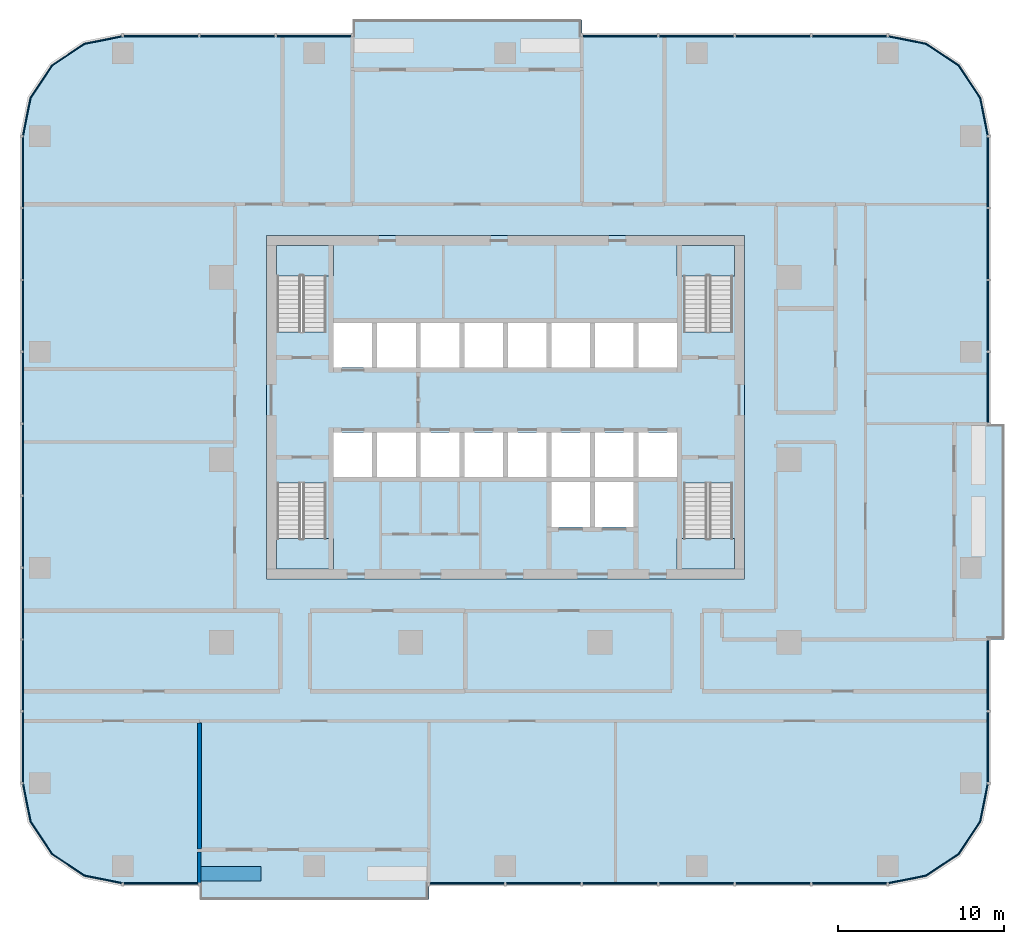
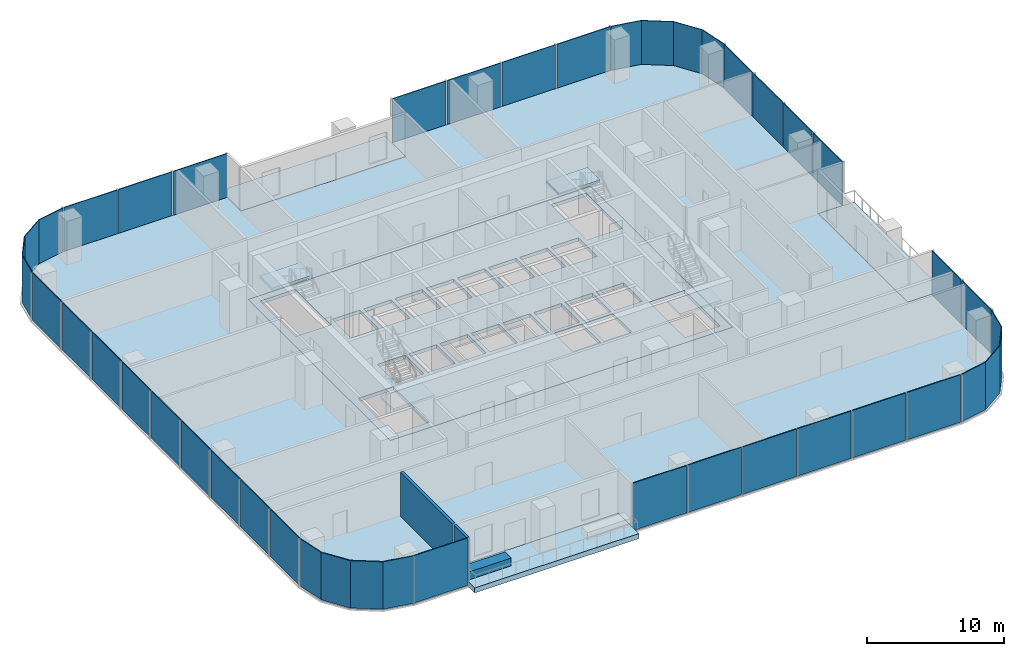
# One storey, part 6 of 14: 33 plates, 9 slabs, 3 walls, 15 elements without a shape of their own.
"""IFC4 building model written with IfcOpenShell, lengths in metres."""

from ifc_helpers import new_model, si_unit, direction, frame, frame_2d, origin, origin_2d, place, context, subcontext, project, spatial, polyline, rectangle, outline, extrude, material, layer, layer_set, type_object, element, aggregate, save


model = new_model("IFC4")

# Units and contexts
model_context = context("Model", 3, precision=1e-05, world=origin(), true_north=direction((0.0, 1.0)))
body_context = subcontext(model_context, "Body", "Model", "MODEL_VIEW")
ifc_project = project(units=[si_unit("LENGTHUNIT", "METRE"), si_unit("AREAUNIT", "SQUARE_METRE"), si_unit("VOLUMEUNIT", "CUBIC_METRE"), si_unit("PLANEANGLEUNIT", "RADIAN"), si_unit("MASSUNIT", "GRAM", prefix="KILO")], contexts=[model_context])

# Site, building, storey
site_placement = place(None, origin())
site = spatial("IfcSite", under=ifc_project, at=site_placement, CompositionType="ELEMENT")
building_placement = place(site_placement, origin())
building = spatial("IfcBuilding", under=site, at=building_placement, Name="Mopane Tessera Tower", CompositionType="ELEMENT")
storey_placement = place(building_placement, frame((0.0, 0.0, 144.10009765625)))
storey = spatial("IfcBuildingStorey", under=building, at=storey_placement, Name="L29", CompositionType="ELEMENT", Elevation=144.10009765625)

# Slab
ifc_material_1 = material(Name="Concrete C40/50", Category="concrete")
ifc_layer_1 = layer(ifc_material_1, 0.300048828125)
ifc_layer_set_1 = layer_set([ifc_layer_1], Name="Concrete C40/50")
slab_type_1 = type_object("IfcSlabType", Name="Core floor slab 300 mm", PredefinedType="FLOOR", material=ifc_layer_set_1)
slab_1_placement = place(storey_placement, frame((0.0, 0.0, -0.300048828125)))
element("IfcSlab", 1, at=slab_1_placement, inside=storey, type_object=slab_type_1, Name="L29 core floor slab", PredefinedType="FLOOR", context=body_context, shape_type="SweptSolid", body=[
    extrude(outline(polyline([(-14.39990234375, -7.199951171875), (14.39990234375, -7.199951171875), (14.39990234375, 13.5), (-14.39990234375, 13.5), (-14.39990234375, -7.199951171875)]), holes=[polyline([(-10.35009765625, -1.050048828125), (-8.02490234375, -1.050048828125), (-8.02490234375, 1.64990234375), (-10.35009765625, 1.64990234375), (-10.35009765625, -1.050048828125)]), polyline([(-7.72509765625, -1.050048828125), (-5.39990234375, -1.050048828125), (-5.39990234375, 1.64990234375), (-7.72509765625, 1.64990234375), (-7.72509765625, -1.050048828125)]), polyline([(-5.10009765625, -1.050048828125), (-2.77490234375, -1.050048828125), (-2.77490234375, 1.64990234375), (-5.10009765625, 1.64990234375), (-5.10009765625, -1.050048828125)]), polyline([(-2.47509765625, -1.050048828125), (-0.14990234375, -1.050048828125), (-0.14990234375, 1.64990234375), (-2.47509765625, 1.64990234375), (-2.47509765625, -1.050048828125)]), polyline([(0.14990234375, -1.050048828125), (2.47509765625, -1.050048828125), (2.47509765625, 1.64990234375), (0.14990234375, 1.64990234375), (0.14990234375, -1.050048828125)]), polyline([(2.77490234375, -1.050048828125), (5.10009765625, -1.050048828125), (5.10009765625, 1.64990234375), (2.77490234375, 1.64990234375), (2.77490234375, -1.050048828125)]), polyline([(5.39990234375, -1.050048828125), (7.72509765625, -1.050048828125), (7.72509765625, 1.64990234375), (5.39990234375, 1.64990234375), (5.39990234375, -1.050048828125)]), polyline([(8.02490234375, -1.050048828125), (10.35009765625, -1.050048828125), (10.35009765625, 1.64990234375), (8.02490234375, 1.64990234375), (8.02490234375, -1.050048828125)]), polyline([(-10.35009765625, 5.550048828125), (-8.02490234375, 5.550048828125), (-8.02490234375, 8.25), (-10.35009765625, 8.25), (-10.35009765625, 5.550048828125)]), polyline([(-7.72509765625, 5.550048828125), (-5.39990234375, 5.550048828125), (-5.39990234375, 8.25), (-7.72509765625, 8.25), (-7.72509765625, 5.550048828125)]), polyline([(-5.10009765625, 5.550048828125), (-2.77490234375, 5.550048828125), (-2.77490234375, 8.25), (-5.10009765625, 8.25), (-5.10009765625, 5.550048828125)]), polyline([(-2.47509765625, 5.550048828125), (-0.14990234375, 5.550048828125), (-0.14990234375, 8.25), (-2.47509765625, 8.25), (-2.47509765625, 5.550048828125)]), polyline([(0.14990234375, 5.550048828125), (2.47509765625, 5.550048828125), (2.47509765625, 8.25), (0.14990234375, 8.25), (0.14990234375, 5.550048828125)]), polyline([(2.77490234375, 5.550048828125), (5.10009765625, 5.550048828125), (5.10009765625, 8.25), (2.77490234375, 8.25), (2.77490234375, 5.550048828125)]), polyline([(5.39990234375, 5.550048828125), (7.72509765625, 5.550048828125), (7.72509765625, 8.25), (5.39990234375, 8.25), (5.39990234375, 5.550048828125)]), polyline([(8.02490234375, 5.550048828125), (10.35009765625, 5.550048828125), (10.35009765625, 8.25), (8.02490234375, 8.25), (8.02490234375, 5.550048828125)]), polyline([(2.77490234375, -4.050048828125), (5.10009765625, -4.050048828125), (5.10009765625, -1.35009765625), (2.77490234375, -1.35009765625), (2.77490234375, -4.050048828125)]), polyline([(5.39990234375, -4.050048828125), (7.72509765625, -4.050048828125), (7.72509765625, -1.35009765625), (5.39990234375, -1.35009765625), (5.39990234375, -4.050048828125)]), polyline([(-13.75, -1.405029296875), (-13.75, -6.60009765625), (-10.800048828125, -6.60009765625), (-10.800048828125, -1.405029296875), (-13.75, -1.405029296875)]), polyline([(-10.800048828125, 7.705078125), (-10.800048828125, 12.89990234375), (-13.75, 12.89990234375), (-13.75, 7.705078125), (-10.800048828125, 7.705078125)]), polyline([(10.75, -1.405029296875), (10.75, -6.60009765625), (13.699951171875, -6.60009765625), (13.699951171875, -1.405029296875), (10.75, -1.405029296875)]), polyline([(13.699951171875, 7.705078125), (13.699951171875, 12.89990234375), (10.75, 12.89990234375), (10.75, 7.705078125), (13.699951171875, 7.705078125)])]), origin(), (0.0, 0.0, 1.0), 0.300048828125),
])

# Stair, slab
ifc_material_2 = material(Name="Concrete C50/60", Category="concrete")
stair_type = type_object("IfcStairType", Name="Escape stair 1400 mm, riser 173 mm", PredefinedType="HALF_TURN_STAIR", material=ifc_material_2)
stair_1_placement = place(storey_placement, origin())
stair_1 = element("IfcStair", 2, at=stair_1_placement, inside=storey, type_object=stair_type, Name="L29 Escape stair south-west", PredefinedType="HALF_TURN_STAIR")
ifc_material_3 = material(Name="Concrete C50/60", Category="concrete")
ifc_layer_2 = layer(ifc_material_3, 0.199951171875)
ifc_layer_set_2 = layer_set([ifc_layer_2], Name="Concrete C50/60")
slab_type_2 = type_object("IfcSlabType", Name="Escape stair landing 200 mm", PredefinedType="LANDING", material=ifc_layer_set_2)
slab_2_placement = place(storey_placement, frame((0.0, 0.0, 2.0498046875)))
slab_2 = element("IfcSlab", 3, at=slab_2_placement, type_object=slab_type_2, Name="ST1 landing 1", PredefinedType="LANDING", context=body_context, shape_type="SweptSolid", body=[
    extrude(outline(polyline([(-13.800048828125, -4.760009765625), (-13.800048828125, -6.60009765625), (-10.35009765625, -6.60009765625), (-10.35009765625, -4.760009765625), (-13.800048828125, -4.760009765625)])), origin(), (0.0, 0.0, 1.0), 0.2001953125),
])
aggregate(stair_1, [slab_2])

stair_2_placement = place(storey_placement, origin())
stair_2 = element("IfcStair", 4, at=stair_2_placement, inside=storey, type_object=stair_type, Name="L29 Escape stair north-west", PredefinedType="HALF_TURN_STAIR")
slab_3_placement = place(storey_placement, frame((0.0, 0.0, 2.0498046875)))
slab_3 = element("IfcSlab", 5, at=slab_3_placement, type_object=slab_type_2, Name="ST2 landing 1", PredefinedType="LANDING", context=body_context, shape_type="SweptSolid", body=[
    extrude(outline(polyline([(-10.35009765625, 11.06005859375), (-10.35009765625, 12.89990234375), (-13.800048828125, 12.89990234375), (-13.800048828125, 11.06005859375), (-10.35009765625, 11.06005859375)])), origin(), (0.0, 0.0, 1.0), 0.2001953125),
])
aggregate(stair_2, [slab_3])

stair_3_placement = place(storey_placement, origin())
stair_3 = element("IfcStair", 6, at=stair_3_placement, inside=storey, type_object=stair_type, Name="L29 Escape stair south-east", PredefinedType="HALF_TURN_STAIR")
slab_4_placement = place(storey_placement, frame((0.0, 0.0, 2.0498046875)))
slab_4 = element("IfcSlab", 7, at=slab_4_placement, type_object=slab_type_2, Name="ST3 landing 1", PredefinedType="LANDING", context=body_context, shape_type="SweptSolid", body=[
    extrude(outline(polyline([(10.35009765625, -4.760009765625), (10.35009765625, -6.60009765625), (13.800048828125, -6.60009765625), (13.800048828125, -4.760009765625), (10.35009765625, -4.760009765625)])), origin(), (0.0, 0.0, 1.0), 0.2001953125),
])
aggregate(stair_3, [slab_4])

stair_4_placement = place(storey_placement, origin())
stair_4 = element("IfcStair", 8, at=stair_4_placement, inside=storey, type_object=stair_type, Name="L29 Escape stair north-east", PredefinedType="HALF_TURN_STAIR")
slab_5_placement = place(storey_placement, frame((0.0, 0.0, 2.0498046875)))
slab_5 = element("IfcSlab", 9, at=slab_5_placement, type_object=slab_type_2, Name="ST4 landing 1", PredefinedType="LANDING", context=body_context, shape_type="SweptSolid", body=[
    extrude(outline(polyline([(13.800048828125, 11.06005859375), (13.800048828125, 12.89990234375), (10.35009765625, 12.89990234375), (10.35009765625, 11.06005859375), (13.800048828125, 11.06005859375)])), origin(), (0.0, 0.0, 1.0), 0.2001953125),
])
aggregate(stair_4, [slab_5])

# Curtain wall, plate
ifc_material_4 = material(Name="Aluminium frame", Category="aluminium")
curtain_wall_type = type_object("IfcCurtainWallType", Name="Lower tower unitised wall", PredefinedType="NOTDEFINED", material=ifc_material_4)
curtain_wall_1_placement = place(storey_placement, origin())
curtain_wall_1 = element("IfcCurtainWall", 10, at=curtain_wall_1_placement, inside=storey, type_object=curtain_wall_type, Name="e:cw:L29:S:0", PredefinedType="NOTDEFINED")
ifc_material_5 = material(Name="Clear laminated glass", Category="glass")
ifc_layer_3 = layer(ifc_material_5, 0.070068359375)
ifc_layer_set_3 = layer_set([ifc_layer_3], Name="Clear laminated glass")
plate_type = type_object("IfcPlateType", Name="Laminated glazed unit 70", PredefinedType="CURTAIN_PANEL", material=ifc_layer_set_3)
plate_1_placement = place(storey_placement, frame((-20.7451171875, -25.534912109375, -0.31005859375), z_axis=(0.0, 0.0, 1.0), x_axis=(1.0, 0.0, 0.0)))
plate_1 = element("IfcPlate", 11, at=plate_1_placement, type_object=plate_type, Name="e:cw:L29:S:0:pn0", PredefinedType="CURTAIN_PANEL", context=body_context, shape_type="SweptSolid", body=[
    extrude(rectangle(XDim=4.5, YDim=0.070068359375, at=origin_2d()), origin(), (0.0, 0.0, 1.0), 4.2099609375),
])
aggregate(curtain_wall_1, [plate_1])

# Curtain wall, plates
curtain_wall_2_placement = place(storey_placement, origin())
curtain_wall_2 = element("IfcCurtainWall", 12, at=curtain_wall_2_placement, inside=storey, type_object=curtain_wall_type, Name="e:cw:L29:S:4", PredefinedType="NOTDEFINED")
plate_2_placement = place(storey_placement, frame((-2.304931640625, -25.534912109375, -0.31005859375), z_axis=(0.0, 0.0, 1.0), x_axis=(1.0, 0.0, 0.0)))
plate_2 = element("IfcPlate", 13, at=plate_2_placement, type_object=plate_type, Name="e:cw:L29:S:4:pn4", PredefinedType="CURTAIN_PANEL", context=body_context, shape_type="SweptSolid", body=[
    extrude(rectangle(XDim=4.5, YDim=0.070068359375, at=origin_2d()), origin(), (0.0, 0.0, 1.0), 4.2099609375),
])
plate_3_placement = place(storey_placement, frame((2.304931640625, -25.534912109375, -0.31005859375), z_axis=(0.0, 0.0, 1.0), x_axis=(1.0, 0.0, 0.0)))
plate_3 = element("IfcPlate", 14, at=plate_3_placement, type_object=plate_type, Name="e:cw:L29:S:4:pn5", PredefinedType="CURTAIN_PANEL", context=body_context, shape_type="SweptSolid", body=[
    extrude(rectangle(XDim=4.5, YDim=0.070068359375, at=origin_2d()), origin(), (0.0, 0.0, 1.0), 4.2099609375),
])
plate_4_placement = place(storey_placement, frame((6.9150390625, -25.534912109375, -0.31005859375), z_axis=(0.0, 0.0, 1.0), x_axis=(1.0, 0.0, 0.0)))
plate_4 = element("IfcPlate", 15, at=plate_4_placement, type_object=plate_type, Name="e:cw:L29:S:4:pn6", PredefinedType="CURTAIN_PANEL", context=body_context, shape_type="SweptSolid", body=[
    extrude(rectangle(XDim=4.5, YDim=0.070068359375, at=origin_2d()), origin(), (0.0, 0.0, 1.0), 4.2099609375),
])
plate_5_placement = place(storey_placement, frame((11.52490234375, -25.534912109375, -0.31005859375), z_axis=(0.0, 0.0, 1.0), x_axis=(1.0, 0.0, 0.0)))
plate_5 = element("IfcPlate", 16, at=plate_5_placement, type_object=plate_type, Name="e:cw:L29:S:4:pn7", PredefinedType="CURTAIN_PANEL", context=body_context, shape_type="SweptSolid", body=[
    extrude(rectangle(XDim=4.5, YDim=0.070068359375, at=origin_2d()), origin(), (0.0, 0.0, 1.0), 4.2099609375),
])
plate_6_placement = place(storey_placement, frame((16.135009765625, -25.534912109375, -0.31005859375), z_axis=(0.0, 0.0, 1.0), x_axis=(1.0, 0.0, 0.0)))
plate_6 = element("IfcPlate", 17, at=plate_6_placement, type_object=plate_type, Name="e:cw:L29:S:4:pn8", PredefinedType="CURTAIN_PANEL", context=body_context, shape_type="SweptSolid", body=[
    extrude(rectangle(XDim=4.5, YDim=0.070068359375, at=origin_2d()), origin(), (0.0, 0.0, 1.0), 4.2099609375),
])
plate_7_placement = place(storey_placement, frame((20.7451171875, -25.534912109375, -0.31005859375), z_axis=(0.0, 0.0, 1.0), x_axis=(1.0, 0.0, 0.0)))
plate_7 = element("IfcPlate", 18, at=plate_7_placement, type_object=plate_type, Name="e:cw:L29:S:4:pn9", PredefinedType="CURTAIN_PANEL", context=body_context, shape_type="SweptSolid", body=[
    extrude(rectangle(XDim=4.5, YDim=0.070068359375, at=origin_2d()), origin(), (0.0, 0.0, 1.0), 4.2099609375),
])
aggregate(curtain_wall_2, [plate_2, plate_3, plate_4, plate_5, plate_6, plate_7])

# Curtain wall, plate
curtain_wall_3_placement = place(storey_placement, origin())
curtain_wall_3 = element("IfcCurtainWall", 19, at=curtain_wall_3_placement, inside=storey, type_object=curtain_wall_type, Name="e:cw:L29:CS", PredefinedType="NOTDEFINED")
plate_8_placement = place(storey_placement, frame((0.0, 0.0, -0.31005859375)))
plate_8 = element("IfcPlate", 20, at=plate_8_placement, type_object=plate_type, Name="e:cw:L29:CS:pn", PredefinedType="CURTAIN_PANEL", context=body_context, shape_type="SweptSolid", body=[
    extrude(outline(polyline([(23.050048828125, -25.5), (25.34619140625, -25.043212890625), (27.292724609375, -23.74267578125), (28.59326171875, -21.796142578125), (29.050048828125, -19.5), (29.1201171875, -19.5), (28.657958984375, -21.822998046875), (27.342041015625, -23.792236328125), (25.372802734375, -25.10791015625), (23.050048828125, -25.570068359375), (23.050048828125, -25.5)])), origin(), (0.0, 0.0, 1.0), 4.2099609375),
])
aggregate(curtain_wall_3, [plate_8])

# Curtain wall, plates
curtain_wall_4_placement = place(storey_placement, origin())
curtain_wall_4 = element("IfcCurtainWall", 21, at=curtain_wall_4_placement, inside=storey, type_object=curtain_wall_type, Name="e:cw:L29:E:0", PredefinedType="NOTDEFINED")
plate_9_placement = place(storey_placement, frame((29.0849609375, -17.333251953125, -0.31005859375), z_axis=(0.0, 0.0, 1.0), x_axis=(0.0, 1.0, 0.0)))
plate_9 = element("IfcPlate", 22, at=plate_9_placement, type_object=plate_type, Name="e:cw:L29:E:0:pn0", PredefinedType="CURTAIN_PANEL", context=body_context, shape_type="SweptSolid", body=[
    extrude(rectangle(XDim=4.223388671875, YDim=0.070068359375, at=origin_2d()), origin(), (0.0, 0.0, 1.0), 4.2099609375),
])
plate_10_placement = place(storey_placement, frame((29.0849609375, -13.0, -0.31005859375), z_axis=(0.0, 0.0, 1.0), x_axis=(0.0, 1.0, 0.0)))
plate_10 = element("IfcPlate", 23, at=plate_10_placement, type_object=plate_type, Name="e:cw:L29:E:0:pn1", PredefinedType="CURTAIN_PANEL", context=body_context, shape_type="SweptSolid", body=[
    extrude(rectangle(XDim=4.223388671875, YDim=0.070068359375, at=origin_2d()), origin(), (0.0, 0.0, 1.0), 4.2099609375),
])
aggregate(curtain_wall_4, [plate_9, plate_10])

curtain_wall_5_placement = place(storey_placement, origin())
curtain_wall_5 = element("IfcCurtainWall", 24, at=curtain_wall_5_placement, inside=storey, type_object=curtain_wall_type, Name="e:cw:L29:E:5", PredefinedType="NOTDEFINED")
plate_11_placement = place(storey_placement, frame((29.0849609375, 4.333251953125, -0.31005859375), z_axis=(0.0, 0.0, 1.0), x_axis=(0.0, 1.0, 0.0)))
plate_11 = element("IfcPlate", 25, at=plate_11_placement, type_object=plate_type, Name="e:cw:L29:E:5:pn5", PredefinedType="CURTAIN_PANEL", context=body_context, shape_type="SweptSolid", body=[
    extrude(rectangle(XDim=4.223388671875, YDim=0.070068359375, at=origin_2d()), origin(), (0.0, 0.0, 1.0), 4.2099609375),
])
plate_12_placement = place(storey_placement, frame((29.0849609375, 8.666748046875, -0.31005859375), z_axis=(0.0, 0.0, 1.0), x_axis=(0.0, 1.0, 0.0)))
plate_12 = element("IfcPlate", 26, at=plate_12_placement, type_object=plate_type, Name="e:cw:L29:E:5:pn6", PredefinedType="CURTAIN_PANEL", context=body_context, shape_type="SweptSolid", body=[
    extrude(rectangle(XDim=4.223388671875, YDim=0.070068359375, at=origin_2d()), origin(), (0.0, 0.0, 1.0), 4.2099609375),
])
plate_13_placement = place(storey_placement, frame((29.0849609375, 13.0, -0.31005859375), z_axis=(0.0, 0.0, 1.0), x_axis=(0.0, 1.0, 0.0)))
plate_13 = element("IfcPlate", 27, at=plate_13_placement, type_object=plate_type, Name="e:cw:L29:E:5:pn7", PredefinedType="CURTAIN_PANEL", context=body_context, shape_type="SweptSolid", body=[
    extrude(rectangle(XDim=4.223388671875, YDim=0.070068359375, at=origin_2d()), origin(), (0.0, 0.0, 1.0), 4.2099609375),
])
plate_14_placement = place(storey_placement, frame((29.0849609375, 17.333251953125, -0.31005859375), z_axis=(0.0, 0.0, 1.0), x_axis=(0.0, 1.0, 0.0)))
plate_14 = element("IfcPlate", 28, at=plate_14_placement, type_object=plate_type, Name="e:cw:L29:E:5:pn8", PredefinedType="CURTAIN_PANEL", context=body_context, shape_type="SweptSolid", body=[
    extrude(rectangle(XDim=4.223388671875, YDim=0.070068359375, at=origin_2d()), origin(), (0.0, 0.0, 1.0), 4.2099609375),
])
aggregate(curtain_wall_5, [plate_11, plate_12, plate_13, plate_14])

# Curtain wall, plate
curtain_wall_6_placement = place(storey_placement, origin())
curtain_wall_6 = element("IfcCurtainWall", 29, at=curtain_wall_6_placement, inside=storey, type_object=curtain_wall_type, Name="e:cw:L29:CE", PredefinedType="NOTDEFINED")
plate_15_placement = place(storey_placement, frame((0.0, 0.0, -0.31005859375)))
plate_15 = element("IfcPlate", 30, at=plate_15_placement, type_object=plate_type, Name="e:cw:L29:CE:pn", PredefinedType="CURTAIN_PANEL", context=body_context, shape_type="SweptSolid", body=[
    extrude(outline(polyline([(29.050048828125, 19.5), (28.59326171875, 21.796142578125), (27.292724609375, 23.74267578125), (25.34619140625, 25.043212890625), (23.050048828125, 25.5), (23.050048828125, 25.570068359375), (25.372802734375, 25.10791015625), (27.342041015625, 23.792236328125), (28.657958984375, 21.822998046875), (29.1201171875, 19.5), (29.050048828125, 19.5)])), origin(), (0.0, 0.0, 1.0), 4.2099609375),
])
aggregate(curtain_wall_6, [plate_15])

# Curtain wall, plates
curtain_wall_7_placement = place(storey_placement, origin())
curtain_wall_7 = element("IfcCurtainWall", 31, at=curtain_wall_7_placement, inside=storey, type_object=curtain_wall_type, Name="e:cw:L29:N:0", PredefinedType="NOTDEFINED")
plate_16_placement = place(storey_placement, frame((20.7451171875, 25.534912109375, -0.31005859375), z_axis=(0.0, 0.0, 1.0), x_axis=(-1.0, 0.0, 0.0)))
plate_16 = element("IfcPlate", 32, at=plate_16_placement, type_object=plate_type, Name="e:cw:L29:N:0:pn0", PredefinedType="CURTAIN_PANEL", context=body_context, shape_type="SweptSolid", body=[
    extrude(rectangle(XDim=4.5, YDim=0.070068359375, at=origin_2d()), origin(), (0.0, 0.0, 1.0), 4.2099609375),
])
plate_17_placement = place(storey_placement, frame((16.135009765625, 25.534912109375, -0.31005859375), z_axis=(0.0, 0.0, 1.0), x_axis=(-1.0, 0.0, 0.0)))
plate_17 = element("IfcPlate", 33, at=plate_17_placement, type_object=plate_type, Name="e:cw:L29:N:0:pn1", PredefinedType="CURTAIN_PANEL", context=body_context, shape_type="SweptSolid", body=[
    extrude(rectangle(XDim=4.5, YDim=0.070068359375, at=origin_2d()), origin(), (0.0, 0.0, 1.0), 4.2099609375),
])
plate_18_placement = place(storey_placement, frame((11.52490234375, 25.534912109375, -0.31005859375), z_axis=(0.0, 0.0, 1.0), x_axis=(-1.0, 0.0, 0.0)))
plate_18 = element("IfcPlate", 34, at=plate_18_placement, type_object=plate_type, Name="e:cw:L29:N:0:pn2", PredefinedType="CURTAIN_PANEL", context=body_context, shape_type="SweptSolid", body=[
    extrude(rectangle(XDim=4.5, YDim=0.070068359375, at=origin_2d()), origin(), (0.0, 0.0, 1.0), 4.2099609375),
])
plate_19_placement = place(storey_placement, frame((6.9150390625, 25.534912109375, -0.31005859375), z_axis=(0.0, 0.0, 1.0), x_axis=(-1.0, 0.0, 0.0)))
plate_19 = element("IfcPlate", 35, at=plate_19_placement, type_object=plate_type, Name="e:cw:L29:N:0:pn3", PredefinedType="CURTAIN_PANEL", context=body_context, shape_type="SweptSolid", body=[
    extrude(rectangle(XDim=4.5, YDim=0.070068359375, at=origin_2d()), origin(), (0.0, 0.0, 1.0), 4.2099609375),
])
aggregate(curtain_wall_7, [plate_16, plate_17, plate_18, plate_19])

curtain_wall_8_placement = place(storey_placement, origin())
curtain_wall_8 = element("IfcCurtainWall", 36, at=curtain_wall_8_placement, inside=storey, type_object=curtain_wall_type, Name="e:cw:L29:N:7", PredefinedType="NOTDEFINED")
plate_20_placement = place(storey_placement, frame((-11.52490234375, 25.534912109375, -0.31005859375), z_axis=(0.0, 0.0, 1.0), x_axis=(-1.0, 0.0, 0.0)))
plate_20 = element("IfcPlate", 37, at=plate_20_placement, type_object=plate_type, Name="e:cw:L29:N:7:pn7", PredefinedType="CURTAIN_PANEL", context=body_context, shape_type="SweptSolid", body=[
    extrude(rectangle(XDim=4.5, YDim=0.070068359375, at=origin_2d()), origin(), (0.0, 0.0, 1.0), 4.2099609375),
])
plate_21_placement = place(storey_placement, frame((-16.135009765625, 25.534912109375, -0.31005859375), z_axis=(0.0, 0.0, 1.0), x_axis=(-1.0, 0.0, 0.0)))
plate_21 = element("IfcPlate", 38, at=plate_21_placement, type_object=plate_type, Name="e:cw:L29:N:7:pn8", PredefinedType="CURTAIN_PANEL", context=body_context, shape_type="SweptSolid", body=[
    extrude(rectangle(XDim=4.5, YDim=0.070068359375, at=origin_2d()), origin(), (0.0, 0.0, 1.0), 4.2099609375),
])
plate_22_placement = place(storey_placement, frame((-20.7451171875, 25.534912109375, -0.31005859375), z_axis=(0.0, 0.0, 1.0), x_axis=(-1.0, 0.0, 0.0)))
plate_22 = element("IfcPlate", 39, at=plate_22_placement, type_object=plate_type, Name="e:cw:L29:N:7:pn9", PredefinedType="CURTAIN_PANEL", context=body_context, shape_type="SweptSolid", body=[
    extrude(rectangle(XDim=4.5, YDim=0.070068359375, at=origin_2d()), origin(), (0.0, 0.0, 1.0), 4.2099609375),
])
aggregate(curtain_wall_8, [plate_20, plate_21, plate_22])

# Curtain wall, plate
curtain_wall_9_placement = place(storey_placement, origin())
curtain_wall_9 = element("IfcCurtainWall", 40, at=curtain_wall_9_placement, inside=storey, type_object=curtain_wall_type, Name="e:cw:L29:CN", PredefinedType="NOTDEFINED")
plate_23_placement = place(storey_placement, frame((0.0, 0.0, -0.31005859375)))
plate_23 = element("IfcPlate", 41, at=plate_23_placement, type_object=plate_type, Name="e:cw:L29:CN:pn", PredefinedType="CURTAIN_PANEL", context=body_context, shape_type="SweptSolid", body=[
    extrude(outline(polyline([(-23.050048828125, 25.5), (-25.34619140625, 25.043212890625), (-27.292724609375, 23.74267578125), (-28.59326171875, 21.796142578125), (-29.050048828125, 19.5), (-29.1201171875, 19.5), (-28.657958984375, 21.822998046875), (-27.342041015625, 23.792236328125), (-25.372802734375, 25.10791015625), (-23.050048828125, 25.570068359375), (-23.050048828125, 25.5)])), origin(), (0.0, 0.0, 1.0), 4.2099609375),
])
aggregate(curtain_wall_9, [plate_23])

# Curtain wall, plates
curtain_wall_10_placement = place(storey_placement, origin())
curtain_wall_10 = element("IfcCurtainWall", 42, at=curtain_wall_10_placement, inside=storey, type_object=curtain_wall_type, Name="e:cw:L29:W:0", PredefinedType="NOTDEFINED")
plate_24_placement = place(storey_placement, frame((-29.0849609375, 17.333251953125, -0.31005859375), z_axis=(0.0, 0.0, 1.0), x_axis=(0.0, -1.0, 0.0)))
plate_24 = element("IfcPlate", 43, at=plate_24_placement, type_object=plate_type, Name="e:cw:L29:W:0:pn0", PredefinedType="CURTAIN_PANEL", context=body_context, shape_type="SweptSolid", body=[
    extrude(rectangle(XDim=4.223388671875, YDim=0.070068359375, at=origin_2d()), origin(), (0.0, 0.0, 1.0), 4.2099609375),
])
plate_25_placement = place(storey_placement, frame((-29.0849609375, 13.0, -0.31005859375), z_axis=(0.0, 0.0, 1.0), x_axis=(0.0, -1.0, 0.0)))
plate_25 = element("IfcPlate", 44, at=plate_25_placement, type_object=plate_type, Name="e:cw:L29:W:0:pn1", PredefinedType="CURTAIN_PANEL", context=body_context, shape_type="SweptSolid", body=[
    extrude(rectangle(XDim=4.223388671875, YDim=0.070068359375, at=origin_2d()), origin(), (0.0, 0.0, 1.0), 4.2099609375),
])
plate_26_placement = place(storey_placement, frame((-29.0849609375, 8.666748046875, -0.31005859375), z_axis=(0.0, 0.0, 1.0), x_axis=(0.0, -1.0, 0.0)))
plate_26 = element("IfcPlate", 45, at=plate_26_placement, type_object=plate_type, Name="e:cw:L29:W:0:pn2", PredefinedType="CURTAIN_PANEL", context=body_context, shape_type="SweptSolid", body=[
    extrude(rectangle(XDim=4.223388671875, YDim=0.070068359375, at=origin_2d()), origin(), (0.0, 0.0, 1.0), 4.2099609375),
])
plate_27_placement = place(storey_placement, frame((-29.0849609375, 4.333251953125, -0.31005859375), z_axis=(0.0, 0.0, 1.0), x_axis=(0.0, -1.0, 0.0)))
plate_27 = element("IfcPlate", 46, at=plate_27_placement, type_object=plate_type, Name="e:cw:L29:W:0:pn3", PredefinedType="CURTAIN_PANEL", context=body_context, shape_type="SweptSolid", body=[
    extrude(rectangle(XDim=4.223388671875, YDim=0.070068359375, at=origin_2d()), origin(), (0.0, 0.0, 1.0), 4.2099609375),
])
plate_28_placement = place(storey_placement, frame((-29.0849609375, 0.0, -0.31005859375), z_axis=(0.0, 0.0, 1.0), x_axis=(0.0, -1.0, 0.0)))
plate_28 = element("IfcPlate", 47, at=plate_28_placement, type_object=plate_type, Name="e:cw:L29:W:0:pn4", PredefinedType="CURTAIN_PANEL", context=body_context, shape_type="SweptSolid", body=[
    extrude(rectangle(XDim=4.223388671875, YDim=0.070068359375, at=origin_2d()), origin(), (0.0, 0.0, 1.0), 4.2099609375),
])
plate_29_placement = place(storey_placement, frame((-29.0849609375, -4.333251953125, -0.31005859375), z_axis=(0.0, 0.0, 1.0), x_axis=(0.0, -1.0, 0.0)))
plate_29 = element("IfcPlate", 48, at=plate_29_placement, type_object=plate_type, Name="e:cw:L29:W:0:pn5", PredefinedType="CURTAIN_PANEL", context=body_context, shape_type="SweptSolid", body=[
    extrude(rectangle(XDim=4.223388671875, YDim=0.070068359375, at=origin_2d()), origin(), (0.0, 0.0, 1.0), 4.2099609375),
])
plate_30_placement = place(storey_placement, frame((-29.0849609375, -8.666748046875, -0.31005859375), z_axis=(0.0, 0.0, 1.0), x_axis=(0.0, -1.0, 0.0)))
plate_30 = element("IfcPlate", 49, at=plate_30_placement, type_object=plate_type, Name="e:cw:L29:W:0:pn6", PredefinedType="CURTAIN_PANEL", context=body_context, shape_type="SweptSolid", body=[
    extrude(rectangle(XDim=4.223388671875, YDim=0.070068359375, at=origin_2d()), origin(), (0.0, 0.0, 1.0), 4.2099609375),
])
plate_31_placement = place(storey_placement, frame((-29.0849609375, -13.0, -0.31005859375), z_axis=(0.0, 0.0, 1.0), x_axis=(0.0, -1.0, 0.0)))
plate_31 = element("IfcPlate", 50, at=plate_31_placement, type_object=plate_type, Name="e:cw:L29:W:0:pn7", PredefinedType="CURTAIN_PANEL", context=body_context, shape_type="SweptSolid", body=[
    extrude(rectangle(XDim=4.223388671875, YDim=0.070068359375, at=origin_2d()), origin(), (0.0, 0.0, 1.0), 4.2099609375),
])
plate_32_placement = place(storey_placement, frame((-29.0849609375, -17.333251953125, -0.31005859375), z_axis=(0.0, 0.0, 1.0), x_axis=(0.0, -1.0, 0.0)))
plate_32 = element("IfcPlate", 51, at=plate_32_placement, type_object=plate_type, Name="e:cw:L29:W:0:pn8", PredefinedType="CURTAIN_PANEL", context=body_context, shape_type="SweptSolid", body=[
    extrude(rectangle(XDim=4.223388671875, YDim=0.070068359375, at=origin_2d()), origin(), (0.0, 0.0, 1.0), 4.2099609375),
])
aggregate(curtain_wall_10, [plate_24, plate_25, plate_26, plate_27, plate_28, plate_29, plate_30, plate_31, plate_32])

# Curtain wall, plate
curtain_wall_11_placement = place(storey_placement, origin())
curtain_wall_11 = element("IfcCurtainWall", 52, at=curtain_wall_11_placement, inside=storey, type_object=curtain_wall_type, Name="e:cw:L29:CW", PredefinedType="NOTDEFINED")
plate_33_placement = place(storey_placement, frame((0.0, 0.0, -0.31005859375)))
plate_33 = element("IfcPlate", 53, at=plate_33_placement, type_object=plate_type, Name="e:cw:L29:CW:pn", PredefinedType="CURTAIN_PANEL", context=body_context, shape_type="SweptSolid", body=[
    extrude(outline(polyline([(-29.050048828125, -19.5), (-28.59326171875, -21.796142578125), (-27.292724609375, -23.74267578125), (-25.34619140625, -25.043212890625), (-23.050048828125, -25.5), (-23.050048828125, -25.570068359375), (-25.372802734375, -25.10791015625), (-27.342041015625, -23.792236328125), (-28.657958984375, -21.822998046875), (-29.1201171875, -19.5), (-29.050048828125, -19.5)])), origin(), (0.0, 0.0, 1.0), 4.2099609375),
])
aggregate(curtain_wall_11, [plate_33])

# Slabs
ifc_material_6 = material(Name="Concrete C40/50", Category="concrete")
ifc_layer_4 = layer(ifc_material_6, 0.449951171875)
ifc_layer_set_4 = layer_set([ifc_layer_4], Name="Concrete C40/50")
slab_type_3 = type_object("IfcSlabType", Name="Planted terrace slab 450 mm", PredefinedType="FLOOR", material=ifc_layer_set_4)
slab_6_placement = place(storey_placement, frame((0.0, 0.0, -0.4501953125)))
element("IfcSlab", 54, at=slab_6_placement, inside=storey, type_object=slab_type_3, Name="Terrace slab N1 L29", PredefinedType="FLOOR", context=body_context, shape_type="SweptSolid", body=[
    extrude(outline(polyline([(-9.219970703125, 26.5), (-9.219970703125, 23.5), (4.610107421875, 23.5), (4.610107421875, 26.5), (-9.219970703125, 26.5)])), origin(), (0.0, 0.0, 1.0), 0.4501953125),
])
slab_7_placement = place(storey_placement, frame((0.0, 0.0, -0.4501953125)))
element("IfcSlab", 55, at=slab_7_placement, inside=storey, type_object=slab_type_3, Name="Terrace slab N2 L29", PredefinedType="FLOOR", context=body_context, shape_type="SweptSolid", body=[
    extrude(outline(polyline([(-4.610107421875, -26.5), (-4.610107421875, -23.5), (-18.43994140625, -23.5), (-18.43994140625, -26.5), (-4.610107421875, -26.5)])), origin(), (0.0, 0.0, 1.0), 0.4501953125),
])
slab_8_placement = place(storey_placement, frame((0.0, 0.0, -0.4501953125)))
element("IfcSlab", 56, at=slab_8_placement, inside=storey, type_object=slab_type_3, Name="Terrace slab N3 L29", PredefinedType="FLOOR", context=body_context, shape_type="SweptSolid", body=[
    extrude(outline(polyline([(30.050048828125, 2.166748046875), (27.050048828125, 2.166748046875), (27.050048828125, -10.833251953125), (30.050048828125, -10.833251953125), (30.050048828125, 2.166748046875)])), origin(), (0.0, 0.0, 1.0), 0.4501953125),
])
ifc_material_7 = material(Name="Concrete C40/50", Category="concrete")
ifc_layer_5 = layer(ifc_material_7, 0.449951171875)
ifc_layer_set_5 = layer_set([ifc_layer_5], Name="Concrete C40/50")
slab_type_4 = type_object("IfcSlabType", Name="Post-tensioned flat plate 450 mm", PredefinedType="FLOOR", material=ifc_layer_set_5)
slab_9_placement = place(storey_placement, frame((0.0, 0.0, -0.4501953125)))
element("IfcSlab", 57, at=slab_9_placement, inside=storey, type_object=slab_type_4, Name="Floor slab L29", PredefinedType="FLOOR", context=body_context, shape_type="SweptSolid", body=[
    extrude(outline(polyline([(-23.050048828125, -25.5), (-18.43994140625, -25.5), (-18.43994140625, -23.5), (-4.610107421875, -23.5), (-4.610107421875, -25.5), (23.050048828125, -25.5), (25.34619140625, -25.043212890625), (27.292724609375, -23.74267578125), (28.59326171875, -21.796142578125), (29.050048828125, -19.5), (29.050048828125, -10.833251953125), (27.050048828125, -10.833251953125), (27.050048828125, 2.166748046875), (29.050048828125, 2.166748046875), (29.050048828125, 19.5), (28.59326171875, 21.796142578125), (27.292724609375, 23.74267578125), (25.34619140625, 25.043212890625), (23.050048828125, 25.5), (4.610107421875, 25.5), (4.610107421875, 23.5), (-9.219970703125, 23.5), (-9.219970703125, 25.5), (-23.050048828125, 25.5), (-25.34619140625, 25.043212890625), (-27.292724609375, 23.74267578125), (-28.59326171875, 21.796142578125), (-29.050048828125, 19.5), (-29.050048828125, -19.5), (-28.59326171875, -21.796142578125), (-27.292724609375, -23.74267578125), (-25.34619140625, -25.043212890625), (-23.050048828125, -25.5)]), holes=[polyline([(14.39990234375, -7.199951171875), (-14.39990234375, -7.199951171875), (-14.39990234375, 13.5), (14.39990234375, 13.5), (14.39990234375, -7.199951171875)])]), origin(), (0.0, 0.0, 1.0), 0.4501953125),
])

# Walls
ifc_material_8 = material(Name="Reinforced concrete C32/40 with waterproofing", Category="concrete")
ifc_layer_6 = layer(ifc_material_8, 0.89990234375)
ifc_layer_set_6 = layer_set([ifc_layer_6], Name="Reinforced concrete C32/40 with waterproofing")
wall_type_1 = type_object("IfcWallType", Name="Planter trough 3600 x 900", PredefinedType="STANDARD", material=ifc_layer_set_6)
wall_1_placement = place(storey_placement, frame((-18.340087890625, -24.949951171875, 0.0), z_axis=(0.0, 0.0, 1.0), x_axis=(1.0, 0.0, 0.0)))
element("IfcWall", 58, at=wall_1_placement, inside=storey, type_object=wall_type_1, Name="e:nw:L29:N2:pl0", PredefinedType="STANDARD", context=body_context, shape_type="SweptSolid", body=[
    extrude(rectangle(XDim=3.60009765625, YDim=0.89990234375, at=frame_2d((1.800048828125, 0.0))), origin(), (0.0, 0.0, 1.0), 0.699951171875),
])
ifc_material_9 = material(Name="Plastered concrete blockwork C20/25", Category="masonry")
ifc_layer_7 = layer(ifc_material_9, 0.25)
ifc_layer_set_7 = layer_set([ifc_layer_7], Name="Plastered concrete blockwork C20/25")
wall_type_2 = type_object("IfcWallType", Name="Plastered blockwork wall 250, rated EI 120", PredefinedType="PARTITIONING", material=ifc_layer_set_7)
wall_2_placement = place(storey_placement, frame((-18.43994140625, -23.449951171875, 0.0), z_axis=(0.0, 0.0, 1.0), x_axis=(0.0, 1.0, 0.0)))
element("IfcWall", 59, at=wall_2_placement, inside=storey, type_object=wall_type_2, Name="Partition L29:030", PredefinedType="PARTITIONING", context=body_context, shape_type="SweptSolid", body=[
    extrude(rectangle(XDim=7.574951171875, YDim=0.25, at=frame_2d((3.78759765625, 0.0))), origin(), (0.0, 0.0, 1.0), 3.89990234375),
])
ifc_material_10 = material(Name="Blockwork with glazed tile facing", Category="masonry")
ifc_layer_8 = layer(ifc_material_10, 0.199951171875)
ifc_layer_set_8 = layer_set([ifc_layer_8], Name="Blockwork with glazed tile facing")
wall_type_3 = type_object("IfcWallType", Name="Terrace cheek wall 200", PredefinedType="STANDARD", material=ifc_layer_set_8)
wall_3_placement = place(storey_placement, frame((-18.43994140625, -25.5, 0.0), z_axis=(0.0, 0.0, 1.0), x_axis=(0.0, 1.0, 0.0)))
element("IfcWall", 60, at=wall_3_placement, inside=storey, type_object=wall_type_3, Name="e:nw:L29:N2:cheeka", PredefinedType="STANDARD", context=body_context, shape_type="SweptSolid", body=[
    extrude(rectangle(XDim=1.875, YDim=0.199951171875, at=frame_2d((0.9375, 0.0))), origin(), (0.0, 0.0, 1.0), 3.89990234375),
])

save(model, "model.ifc")
